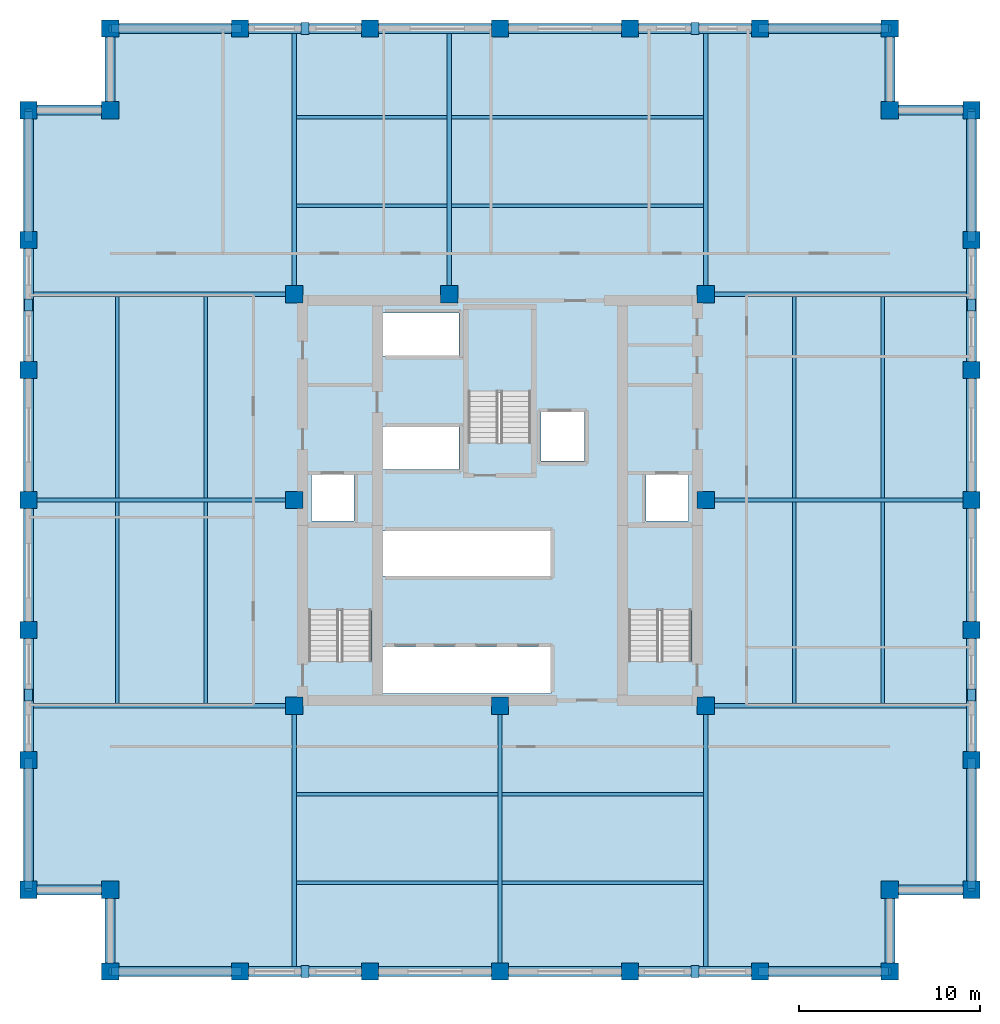
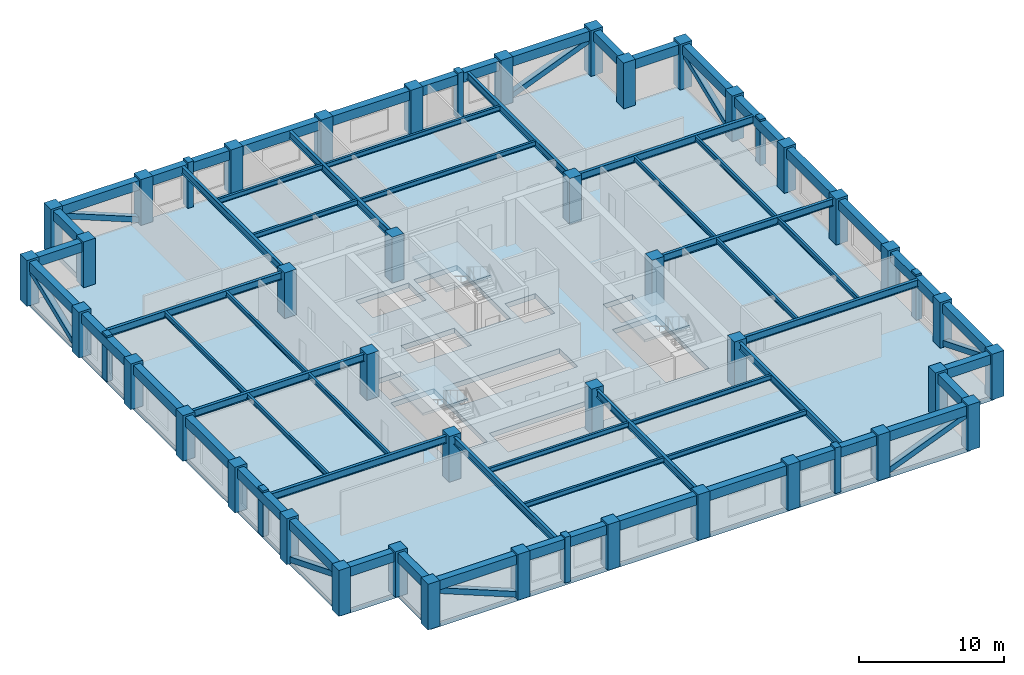
# One storey, part 1 of 6: 60 beams, 40 columns, 16 members, 4 slabs, 3 elements without a shape of their own.
"""IFC4 building model written with IfcOpenShell, lengths in metres."""

from ifc_helpers import new_model, si_unit, direction, frame, origin, origin_2d, place, context, subcontext, project, spatial, polyline, rectangle, hollow_rectangle, i_section, outline, extrude, material, layer, layer_set, material_profile, profile_set, type_object, element, aggregate, save


model = new_model("IFC4")

# Units and contexts
model_context = context("Model", 3, precision=1e-05, world=origin(), true_north=direction((0.0, 1.0)))
body_context = subcontext(model_context, "Body", "Model", "MODEL_VIEW")
ifc_project = project(units=[si_unit("LENGTHUNIT", "METRE"), si_unit("AREAUNIT", "SQUARE_METRE"), si_unit("VOLUMEUNIT", "CUBIC_METRE"), si_unit("PLANEANGLEUNIT", "RADIAN"), si_unit("MASSUNIT", "GRAM", prefix="KILO")], contexts=[model_context])

# Site, building, storey
site_placement = place(None, origin())
site = spatial("IfcSite", under=ifc_project, at=site_placement, CompositionType="ELEMENT")
building_placement = place(site_placement, origin())
building = spatial("IfcBuilding", under=site, at=building_placement, Name="Nhamokura Convention Tower", CompositionType="ELEMENT")
storey_placement = place(building_placement, frame((0.0, 0.0, 114.449951171875)))
storey = spatial("IfcBuildingStorey", under=building, at=storey_placement, Name="L27", CompositionType="ELEMENT", Elevation=114.449951171875)

# Columns
ifc_material_1 = material(Name="Concrete C60/75", Category="concrete")
ifc_material_profile_1 = material_profile(ifc_material_1, rectangle(XDim=0.949951171875, YDim=0.949951171875, at=origin_2d()))
ifc_profile_set_1 = profile_set([ifc_material_profile_1], Name="Concrete C60/75")
column_type = type_object("IfcColumnType", Name="TubeColumn_Z2_950", PredefinedType="COLUMN", material=ifc_profile_set_1)
for number, where, z_axis, x_axis, name in (
    (1, (20.64990234375, 20.64990234375, 0.0), (0.0, 0.0, 1.0), (1.0, 0.0, 0.0), "L27 Core Column CC-SW"),
    (2, (32.0, 20.64990234375, 0.0), (0.0, 0.0, 1.0), (1.0, 0.0, 0.0), "L27 Core Column CC-S"),
    (3, (43.35009765625, 20.64990234375, 0.0), (0.0, 0.0, 1.0), (1.0, 0.0, 0.0), "L27 Core Column CC-SE"),
    (4, (43.35009765625, 32.0, 0.0), (0.0, 0.0, 1.0), (1.0, 0.0, 0.0), "L27 Core Column CC-E"),
    (5, (43.35009765625, 43.35009765625, 0.0), (0.0, 0.0, 1.0), (1.0, 0.0, 0.0), "L27 Core Column CC-NE"),
    (6, (29.199951171875, 43.35009765625, 0.0), (0.0, 0.0, 1.0), (1.0, 0.0, 0.0), "L27 Core Column CC-N"),
    (7, (20.64990234375, 43.35009765625, 0.0), (0.0, 0.0, 1.0), (1.0, 0.0, 0.0), "L27 Core Column CC-NW"),
    (8, (20.64990234375, 32.0, 0.0), (0.0, 0.0, 1.0), (1.0, 0.0, 0.0), "L27 Core Column CC-W"),
    (9, (10.5, 6.0, 0.0), (0.0, 0.0, 1.0), (1.0, 0.0, 0.0), "L27 Perimeter Tube Column SW1"),
    (10, (10.5, 10.5, 0.0), (0.0, 0.0, 1.0), (1.0, 0.0, 0.0), "L27 Perimeter Tube Column SW0"),
    (11, (6.0, 10.5, 0.0), (0.0, 0.0, 1.0), (1.0, 0.0, 0.0), "L27 Perimeter Tube Column SW2"),
    (12, (53.5, 6.0, 0.0), (0.0, 0.0, 1.0), (1.0, 0.0, 0.0), "L27 Perimeter Tube Column SE1"),
    (13, (53.5, 10.5, 0.0), (0.0, 0.0, 1.0), (1.0, 0.0, 0.0), "L27 Perimeter Tube Column SE0"),
    (14, (58.0, 10.5, 0.0), (0.0, 0.0, 1.0), (1.0, 0.0, 0.0), "L27 Perimeter Tube Column SE2"),
    (15, (58.0, 53.5, 0.0), (0.0, 0.0, 1.0), (1.0, 0.0, 0.0), "L27 Perimeter Tube Column NE1"),
    (16, (53.5, 53.5, 0.0), (0.0, 0.0, 1.0), (1.0, 0.0, 0.0), "L27 Perimeter Tube Column NE0"),
    (17, (53.5, 58.0, 0.0), (0.0, 0.0, 1.0), (1.0, 0.0, 0.0), "L27 Perimeter Tube Column NE2"),
    (18, (10.5, 58.0, 0.0), (0.0, 0.0, 1.0), (1.0, 0.0, 0.0), "L27 Perimeter Tube Column NW1"),
    (19, (10.5, 53.5, 0.0), (0.0, 0.0, 1.0), (1.0, 0.0, 0.0), "L27 Perimeter Tube Column NW0"),
    (20, (6.0, 53.5, 0.0), (0.0, 0.0, 1.0), (1.0, 0.0, 0.0), "L27 Perimeter Tube Column NW2"),
    (21, (17.666748046875, 6.0, 0.0), (0.0, 0.0, 1.0), (1.0, 0.0, 0.0), "L27 Perimeter Tube Column S1"),
    (22, (17.666748046875, 58.0, 0.0), (0.0, 0.0, 1.0), (1.0, 0.0, 0.0), "L27 Perimeter Tube Column N1"),
    (23, (6.0, 17.666748046875, 0.0), (0.0, 0.0, 1.0), (1.0, 0.0, 0.0), "L27 Perimeter Tube Column W1"),
    (24, (58.0, 17.666748046875, 0.0), (0.0, 0.0, 1.0), (1.0, 0.0, 0.0), "L27 Perimeter Tube Column E1"),
    (25, (24.833251953125, 6.0, 0.0), (0.0, 0.0, 1.0), (1.0, 0.0, 0.0), "L27 Perimeter Tube Column S2"),
    (26, (24.833251953125, 58.0, 0.0), (0.0, 0.0, 1.0), (1.0, 0.0, 0.0), "L27 Perimeter Tube Column N2"),
    (27, (6.0, 24.833251953125, 0.0), (0.0, 0.0, 1.0), (1.0, 0.0, 0.0), "L27 Perimeter Tube Column W2"),
    (28, (58.0, 24.833251953125, 0.0), (0.0, 0.0, 1.0), (1.0, 0.0, 0.0), "L27 Perimeter Tube Column E2"),
    (29, (32.0, 6.0, 0.0), (0.0, 0.0, 1.0), (1.0, 0.0, 0.0), "L27 Perimeter Tube Column S3"),
    (30, (32.0, 58.0, 0.0), (0.0, 0.0, 1.0), (1.0, 0.0, 0.0), "L27 Perimeter Tube Column N3"),
    (31, (6.0, 32.0, 0.0), (0.0, 0.0, 1.0), (1.0, 0.0, 0.0), "L27 Perimeter Tube Column W3"),
    (32, (58.0, 32.0, 0.0), (0.0, 0.0, 1.0), (1.0, 0.0, 0.0), "L27 Perimeter Tube Column E3"),
    (33, (39.166748046875, 6.0, 0.0), (0.0, 0.0, 1.0), (1.0, 0.0, 0.0), "L27 Perimeter Tube Column S4"),
    (34, (39.166748046875, 58.0, 0.0), (0.0, 0.0, 1.0), (1.0, 0.0, 0.0), "L27 Perimeter Tube Column N4"),
    (35, (6.0, 39.166748046875, 0.0), (0.0, 0.0, 1.0), (1.0, 0.0, 0.0), "L27 Perimeter Tube Column W4"),
    (36, (58.0, 39.166748046875, 0.0), (0.0, 0.0, 1.0), (1.0, 0.0, 0.0), "L27 Perimeter Tube Column E4"),
    (37, (46.333251953125, 6.0, 0.0), (0.0, 0.0, 1.0), (1.0, 0.0, 0.0), "L27 Perimeter Tube Column S5"),
    (38, (46.333251953125, 58.0, 0.0), (0.0, 0.0, 1.0), (1.0, 0.0, 0.0), "L27 Perimeter Tube Column N5"),
    (39, (6.0, 46.333251953125, 0.0), (0.0, 0.0, 1.0), (1.0, 0.0, 0.0), "L27 Perimeter Tube Column W5"),
    (40, (58.0, 46.333251953125, 0.0), (0.0, 0.0, 1.0), (1.0, 0.0, 0.0), "L27 Perimeter Tube Column E5"),
):
    element("IfcColumn", number, at=place(storey_placement, frame(where, z_axis=z_axis, x_axis=x_axis)), inside=storey, type_object=column_type, Name=name, PredefinedType="COLUMN", context=body_context, shape_type="SweptSolid", body=[
        extrude(rectangle(XDim=0.949951171875, YDim=0.949951171875, at=origin_2d()), origin(), (0.0, 0.0, 1.0), 3.85009765625),
    ])

# Members
ifc_material_2 = material(Name="Bronze-pigmented precast concrete C45/55", Category="concrete")
ifc_material_profile_2 = material_profile(ifc_material_2, rectangle(XDim=0.449951171875, YDim=0.64990234375, at=origin_2d()))
ifc_profile_set_2 = profile_set([ifc_material_profile_2], Name="Bronze-pigmented precast concrete C45/55")
member_type_1 = type_object("IfcMemberType", Name="BronzePilaster_650", PredefinedType="USERDEFINED", material=ifc_profile_set_2)
for number, where, z_axis, x_axis, name in (
    (41, (21.25, 6.0, 0.0), (0.0, 0.0, 1.0), (1.0, 0.0, 0.0), "L27 Engaged Frame Pilaster SOUTH 1"),
    (42, (42.75, 6.0, 0.0), (0.0, 0.0, 1.0), (1.0, 0.0, 0.0), "L27 Engaged Frame Pilaster SOUTH 4"),
    (43, (21.25, 58.0, 0.0), (0.0, 0.0, 1.0), (1.0, 0.0, 0.0), "L27 Engaged Frame Pilaster NORTH 1"),
    (44, (42.75, 58.0, 0.0), (0.0, 0.0, 1.0), (1.0, 0.0, 0.0), "L27 Engaged Frame Pilaster NORTH 4"),
    (45, (6.0, 21.25, 0.0), (0.0, 0.0, 1.0), (1.0, 0.0, 0.0), "L27 Engaged Frame Pilaster WEST 1"),
    (46, (6.0, 42.75, 0.0), (0.0, 0.0, 1.0), (1.0, 0.0, 0.0), "L27 Engaged Frame Pilaster WEST 4"),
    (47, (58.0, 21.25, 0.0), (0.0, 0.0, 1.0), (1.0, 0.0, 0.0), "L27 Engaged Frame Pilaster EAST 1"),
    (48, (58.0, 42.75, 0.0), (0.0, 0.0, 1.0), (1.0, 0.0, 0.0), "L27 Engaged Frame Pilaster EAST 4"),
):
    element("IfcMember", number, at=place(storey_placement, frame(where, z_axis=z_axis, x_axis=x_axis)), inside=storey, type_object=member_type_1, Name=name, ObjectType="PILASTER_TRIM", PredefinedType="USERDEFINED", context=body_context, shape_type="SweptSolid", body=[
        extrude(rectangle(XDim=0.449951171875, YDim=0.64990234375, at=origin_2d()), origin(), (0.0, 0.0, 1.0), 3.85009765625),
    ])

# Beams
ifc_material_3 = material(Name="Steel ASTM A992 Gr 50", Category="steel")
ifc_material_profile_3 = material_profile(ifc_material_3, i_section(OverallWidth=0.177001953125, OverallDepth=0.403076171875, WebThickness=0.007568359375, FlangeThickness=0.010986328125, at=origin_2d()))
ifc_profile_set_3 = profile_set([ifc_material_profile_3], Name="Steel ASTM A992 Gr 50")
beam_type_1 = type_object("IfcBeamType", Name="FloorJoist_W410X53", PredefinedType="JOIST", material=ifc_profile_set_3)
for number, where, z_axis, x_axis, name in (
    (49, (20.761962890625, 10.88330078125, 3.483642578125), (1.0, 0.0, 0.0), (0.0, 1.0, 0.0), "L27 Composite Floor Joist S1A"),
    (50, (32.112060546875, 10.88330078125, 3.483642578125), (1.0, 0.0, 0.0), (0.0, 1.0, 0.0), "L27 Composite Floor Joist S1B"),
    (51, (20.761962890625, 15.7666015625, 3.483642578125), (1.0, 0.0, 0.0), (0.0, 1.0, 0.0), "L27 Composite Floor Joist S2A"),
    (52, (32.112060546875, 15.7666015625, 3.483642578125), (1.0, 0.0, 0.0), (0.0, 1.0, 0.0), "L27 Composite Floor Joist S2B"),
):
    element("IfcBeam", number, at=place(storey_placement, frame(where, z_axis=z_axis, x_axis=x_axis)), inside=storey, type_object=beam_type_1, Name=name, PredefinedType="JOIST", context=body_context, shape_type="SweptSolid", body=[
        extrude(i_section(OverallWidth=0.177001953125, OverallDepth=0.403076171875, WebThickness=0.007568359375, FlangeThickness=0.010986328125, at=origin_2d()), origin(), (0.0, 0.0, 1.0), 11.1259765625),
    ])
beam_1_placement = place(storey_placement, frame((20.761962890625, 48.2333984375, 3.483642578125), z_axis=(1.0, 0.0, 0.0), x_axis=(0.0, 1.0, 0.0)))
element("IfcBeam", 53, at=beam_1_placement, inside=storey, type_object=beam_type_1, Name="L27 Composite Floor Joist N1A", PredefinedType="JOIST", context=body_context, shape_type="SweptSolid", body=[
    extrude(i_section(OverallWidth=0.177001953125, OverallDepth=0.403076171875, WebThickness=0.007568359375, FlangeThickness=0.010986328125, at=origin_2d()), origin(), (0.0, 0.0, 1.0), 8.325927734375),
])
beam_2_placement = place(storey_placement, frame((29.31201171875, 48.2333984375, 3.483642578125), z_axis=(1.0, 0.0, 0.0), x_axis=(0.0, 1.0, 0.0)))
element("IfcBeam", 54, at=beam_2_placement, inside=storey, type_object=beam_type_1, Name="L27 Composite Floor Joist N1B", PredefinedType="JOIST", context=body_context, shape_type="SweptSolid", body=[
    extrude(i_section(OverallWidth=0.177001953125, OverallDepth=0.403076171875, WebThickness=0.007568359375, FlangeThickness=0.010986328125, at=origin_2d()), origin(), (0.0, 0.0, 1.0), 13.926025390625),
])
beam_3_placement = place(storey_placement, frame((20.761962890625, 53.11669921875, 3.483642578125), z_axis=(1.0, 0.0, 0.0), x_axis=(0.0, 1.0, 0.0)))
element("IfcBeam", 55, at=beam_3_placement, inside=storey, type_object=beam_type_1, Name="L27 Composite Floor Joist N2A", PredefinedType="JOIST", context=body_context, shape_type="SweptSolid", body=[
    extrude(i_section(OverallWidth=0.177001953125, OverallDepth=0.403076171875, WebThickness=0.007568359375, FlangeThickness=0.010986328125, at=origin_2d()), origin(), (0.0, 0.0, 1.0), 8.325927734375),
])
beam_4_placement = place(storey_placement, frame((29.31201171875, 53.11669921875, 3.483642578125), z_axis=(1.0, 0.0, 0.0), x_axis=(0.0, 1.0, 0.0)))
element("IfcBeam", 56, at=beam_4_placement, inside=storey, type_object=beam_type_1, Name="L27 Composite Floor Joist N2B", PredefinedType="JOIST", context=body_context, shape_type="SweptSolid", body=[
    extrude(i_section(OverallWidth=0.177001953125, OverallDepth=0.403076171875, WebThickness=0.007568359375, FlangeThickness=0.010986328125, at=origin_2d()), origin(), (0.0, 0.0, 1.0), 13.926025390625),
])
for number, where, z_axis, x_axis, name in (
    (57, (10.88330078125, 20.761962890625, 3.483642578125), (0.0, 1.0, 0.0), (-1.0, 0.0, 0.0), "L27 Composite Floor Joist W1A"),
    (58, (10.88330078125, 32.112060546875, 3.483642578125), (0.0, 1.0, 0.0), (-1.0, 0.0, 0.0), "L27 Composite Floor Joist W1B"),
    (59, (15.7666015625, 20.761962890625, 3.483642578125), (0.0, 1.0, 0.0), (-1.0, 0.0, 0.0), "L27 Composite Floor Joist W2A"),
    (60, (15.7666015625, 32.112060546875, 3.483642578125), (0.0, 1.0, 0.0), (-1.0, 0.0, 0.0), "L27 Composite Floor Joist W2B"),
    (61, (48.2333984375, 20.761962890625, 3.483642578125), (0.0, 1.0, 0.0), (-1.0, 0.0, 0.0), "L27 Composite Floor Joist E1A"),
    (62, (48.2333984375, 32.112060546875, 3.483642578125), (0.0, 1.0, 0.0), (-1.0, 0.0, 0.0), "L27 Composite Floor Joist E1B"),
    (63, (53.11669921875, 20.761962890625, 3.483642578125), (0.0, 1.0, 0.0), (-1.0, 0.0, 0.0), "L27 Composite Floor Joist E2A"),
    (64, (53.11669921875, 32.112060546875, 3.483642578125), (0.0, 1.0, 0.0), (-1.0, 0.0, 0.0), "L27 Composite Floor Joist E2B"),
):
    element("IfcBeam", number, at=place(storey_placement, frame(where, z_axis=z_axis, x_axis=x_axis)), inside=storey, type_object=beam_type_1, Name=name, PredefinedType="JOIST", context=body_context, shape_type="SweptSolid", body=[
        extrude(i_section(OverallWidth=0.177001953125, OverallDepth=0.403076171875, WebThickness=0.007568359375, FlangeThickness=0.010986328125, at=origin_2d()), origin(), (0.0, 0.0, 1.0), 11.1259765625),
    ])
ifc_material_4 = material(Name="Steel ASTM A992 Gr 50", Category="steel")
ifc_material_profile_4 = material_profile(ifc_material_4, i_section(OverallWidth=0.22802734375, OverallDepth=0.60791015625, WebThickness=0.01123046875, FlangeThickness=0.017333984375, at=origin_2d()))
ifc_profile_set_4 = profile_set([ifc_material_profile_4], Name="Steel ASTM A992 Gr 50")
beam_type_2 = type_object("IfcBeamType", Name="PrimaryGirder_W610X113", PredefinedType="BEAM", material=ifc_profile_set_4)
for number, where, z_axis, x_axis, name in (
    (65, (20.64990234375, 6.0, 3.381103515625), (0.0, 1.0, 0.0), (-1.0, 0.0, 0.0), "L27 Primary Floor Girder PG-S1"),
    (66, (32.0, 6.0, 3.381103515625), (0.0, 1.0, 0.0), (-1.0, 0.0, 0.0), "L27 Primary Floor Girder PG-S2"),
    (67, (43.35009765625, 6.0, 3.381103515625), (0.0, 1.0, 0.0), (-1.0, 0.0, 0.0), "L27 Primary Floor Girder PG-S3"),
    (68, (20.64990234375, 43.35009765625, 3.381103515625), (0.0, 1.0, 0.0), (-1.0, 0.0, 0.0), "L27 Primary Floor Girder PG-N1"),
    (69, (29.199951171875, 43.35009765625, 3.381103515625), (0.0, 1.0, 0.0), (-1.0, 0.0, 0.0), "L27 Primary Floor Girder PG-N2"),
    (70, (43.35009765625, 43.35009765625, 3.381103515625), (0.0, 1.0, 0.0), (-1.0, 0.0, 0.0), "L27 Primary Floor Girder PG-N3"),
    (71, (6.0, 20.64990234375, 3.381103515625), (1.0, 0.0, 0.0), (0.0, 1.0, 0.0), "L27 Primary Floor Girder PG-W1"),
    (72, (6.0, 32.0, 3.381103515625), (1.0, 0.0, 0.0), (0.0, 1.0, 0.0), "L27 Primary Floor Girder PG-W2"),
    (73, (6.0, 43.35009765625, 3.381103515625), (1.0, 0.0, 0.0), (0.0, 1.0, 0.0), "L27 Primary Floor Girder PG-W3"),
    (74, (43.35009765625, 20.64990234375, 3.381103515625), (1.0, 0.0, 0.0), (0.0, 1.0, 0.0), "L27 Primary Floor Girder PG-E1"),
    (75, (43.35009765625, 32.0, 3.381103515625), (1.0, 0.0, 0.0), (0.0, 1.0, 0.0), "L27 Primary Floor Girder PG-E2"),
    (76, (43.35009765625, 43.35009765625, 3.381103515625), (1.0, 0.0, 0.0), (0.0, 1.0, 0.0), "L27 Primary Floor Girder PG-E3"),
):
    element("IfcBeam", number, at=place(storey_placement, frame(where, z_axis=z_axis, x_axis=x_axis)), inside=storey, type_object=beam_type_2, Name=name, PredefinedType="BEAM", context=body_context, shape_type="SweptSolid", body=[
        extrude(i_section(OverallWidth=0.22802734375, OverallDepth=0.60791015625, WebThickness=0.01123046875, FlangeThickness=0.017333984375, at=origin_2d()), origin(), (0.0, 0.0, 1.0), 14.64990234375),
    ])

# Members
ifc_material_5 = material(Name="Steel ASTM A572 Gr 50", Category="steel")
ifc_material_profile_5 = material_profile(ifc_material_5, hollow_rectangle(XDim=0.449951171875, YDim=0.449951171875, WallThickness=0.02197265625, at=origin_2d()))
ifc_profile_set_5 = profile_set([ifc_material_profile_5], Name="Steel ASTM A572 Gr 50")
member_type_2 = type_object("IfcMemberType", Name="TubeBrace_HSS450", PredefinedType="BRACE", material=ifc_profile_set_5)
for number, where, z_axis, x_axis, name in (
    (77, (17.666748046875, 6.0, 0.150146484375), (-0.927657166893, 0.0, 0.373432966826), (0.0, -1.0, 0.0), "L27 Perimeter Tube Brace SOUTH Bay 0"),
    (78, (46.333251953125, 6.0, 0.150146484375), (0.927657166893, 0.0, 0.373432966826), (0.0, 1.0, 0.0), "L27 Perimeter Tube Brace SOUTH Bay 5"),
    (79, (17.666748046875, 58.0, 0.150146484375), (-0.927657166893, 0.0, 0.373432966826), (0.0, -1.0, 0.0), "L27 Perimeter Tube Brace NORTH Bay 0"),
    (80, (46.333251953125, 58.0, 0.150146484375), (0.927657166893, 0.0, 0.373432966826), (0.0, 1.0, 0.0), "L27 Perimeter Tube Brace NORTH Bay 5"),
    (81, (6.0, 17.666748046875, 0.150146484375), (0.0, -0.927657166893, 0.373432966826), (1.0, 0.0, 0.0), "L27 Perimeter Tube Brace WEST Bay 0"),
    (82, (6.0, 46.333251953125, 0.150146484375), (0.0, 0.927657166893, 0.373432966826), (-1.0, 0.0, 0.0), "L27 Perimeter Tube Brace WEST Bay 5"),
    (83, (58.0, 17.666748046875, 0.150146484375), (0.0, -0.927657166893, 0.373432966826), (1.0, 0.0, 0.0), "L27 Perimeter Tube Brace EAST Bay 0"),
    (84, (58.0, 46.333251953125, 0.150146484375), (0.0, 0.927657166893, 0.373432966826), (-1.0, 0.0, 0.0), "L27 Perimeter Tube Brace EAST Bay 5"),
):
    element("IfcMember", number, at=place(storey_placement, frame(where, z_axis=z_axis, x_axis=x_axis)), inside=storey, type_object=member_type_2, Name=name, PredefinedType="BRACE", context=body_context, shape_type="SweptSolid", body=[
        extrude(hollow_rectangle(XDim=0.449951171875, YDim=0.449951171875, WallThickness=0.02197265625, at=origin_2d()), origin(), (0.0, 0.0, 1.0), 7.7255859375),
    ])

# Beams
ifc_material_6 = material(Name="Concrete C50/60", Category="concrete")
ifc_material_profile_6 = material_profile(ifc_material_6, rectangle(XDim=0.550048828125, YDim=0.800048828125, at=origin_2d()))
ifc_profile_set_6 = profile_set([ifc_material_profile_6], Name="Concrete C50/60")
beam_type_3 = type_object("IfcBeamType", Name="TubeSpandrel_800", PredefinedType="SPANDREL", material=ifc_profile_set_6)
beam_5_placement = place(storey_placement, frame((10.5, 6.0, 3.28515625), z_axis=(1.0, 0.0, 0.0), x_axis=(0.0, 1.0, 0.0)))
element("IfcBeam", 85, at=beam_5_placement, inside=storey, type_object=beam_type_3, Name="L27 Perimeter Spandrel SOUTH 1", PredefinedType="SPANDREL", context=body_context, shape_type="SweptSolid", body=[
    extrude(rectangle(XDim=0.550048828125, YDim=0.800048828125, at=origin_2d()), origin(), (0.0, 0.0, 1.0), 7.166748046875),
])
beam_6_placement = place(storey_placement, frame((17.666748046875, 6.0, 3.28515625), z_axis=(1.0, 0.0, 0.0), x_axis=(0.0, 1.0, 0.0)))
element("IfcBeam", 86, at=beam_6_placement, inside=storey, type_object=beam_type_3, Name="L27 Perimeter Spandrel SOUTH 2", PredefinedType="SPANDREL", context=body_context, shape_type="SweptSolid", body=[
    extrude(rectangle(XDim=0.550048828125, YDim=0.800048828125, at=origin_2d()), origin(), (0.0, 0.0, 1.0), 7.16650390625),
])
for number, where, z_axis, x_axis, name in (
    (87, (24.833251953125, 6.0, 3.28515625), (1.0, 0.0, 0.0), (0.0, 1.0, 0.0), "L27 Perimeter Spandrel SOUTH 3"),
    (88, (32.0, 6.0, 3.28515625), (1.0, 0.0, 0.0), (0.0, 1.0, 0.0), "L27 Perimeter Spandrel SOUTH 4"),
):
    element("IfcBeam", number, at=place(storey_placement, frame(where, z_axis=z_axis, x_axis=x_axis)), inside=storey, type_object=beam_type_3, Name=name, PredefinedType="SPANDREL", context=body_context, shape_type="SweptSolid", body=[
        extrude(rectangle(XDim=0.550048828125, YDim=0.800048828125, at=origin_2d()), origin(), (0.0, 0.0, 1.0), 7.166748046875),
    ])
beam_7_placement = place(storey_placement, frame((39.166748046875, 6.0, 3.28515625), z_axis=(1.0, 0.0, 0.0), x_axis=(0.0, 1.0, 0.0)))
element("IfcBeam", 89, at=beam_7_placement, inside=storey, type_object=beam_type_3, Name="L27 Perimeter Spandrel SOUTH 5", PredefinedType="SPANDREL", context=body_context, shape_type="SweptSolid", body=[
    extrude(rectangle(XDim=0.550048828125, YDim=0.800048828125, at=origin_2d()), origin(), (0.0, 0.0, 1.0), 7.16650390625),
])
for number, where, z_axis, x_axis, name in (
    (90, (46.333251953125, 6.0, 3.28515625), (1.0, 0.0, 0.0), (0.0, 1.0, 0.0), "L27 Perimeter Spandrel SOUTH 6"),
    (91, (10.5, 58.0, 3.28515625), (1.0, 0.0, 0.0), (0.0, 1.0, 0.0), "L27 Perimeter Spandrel NORTH 1"),
):
    element("IfcBeam", number, at=place(storey_placement, frame(where, z_axis=z_axis, x_axis=x_axis)), inside=storey, type_object=beam_type_3, Name=name, PredefinedType="SPANDREL", context=body_context, shape_type="SweptSolid", body=[
        extrude(rectangle(XDim=0.550048828125, YDim=0.800048828125, at=origin_2d()), origin(), (0.0, 0.0, 1.0), 7.166748046875),
    ])
beam_8_placement = place(storey_placement, frame((17.666748046875, 58.0, 3.28515625), z_axis=(1.0, 0.0, 0.0), x_axis=(0.0, 1.0, 0.0)))
element("IfcBeam", 92, at=beam_8_placement, inside=storey, type_object=beam_type_3, Name="L27 Perimeter Spandrel NORTH 2", PredefinedType="SPANDREL", context=body_context, shape_type="SweptSolid", body=[
    extrude(rectangle(XDim=0.550048828125, YDim=0.800048828125, at=origin_2d()), origin(), (0.0, 0.0, 1.0), 7.16650390625),
])
for number, where, z_axis, x_axis, name in (
    (93, (24.833251953125, 58.0, 3.28515625), (1.0, 0.0, 0.0), (0.0, 1.0, 0.0), "L27 Perimeter Spandrel NORTH 3"),
    (94, (32.0, 58.0, 3.28515625), (1.0, 0.0, 0.0), (0.0, 1.0, 0.0), "L27 Perimeter Spandrel NORTH 4"),
):
    element("IfcBeam", number, at=place(storey_placement, frame(where, z_axis=z_axis, x_axis=x_axis)), inside=storey, type_object=beam_type_3, Name=name, PredefinedType="SPANDREL", context=body_context, shape_type="SweptSolid", body=[
        extrude(rectangle(XDim=0.550048828125, YDim=0.800048828125, at=origin_2d()), origin(), (0.0, 0.0, 1.0), 7.166748046875),
    ])
beam_9_placement = place(storey_placement, frame((39.166748046875, 58.0, 3.28515625), z_axis=(1.0, 0.0, 0.0), x_axis=(0.0, 1.0, 0.0)))
element("IfcBeam", 95, at=beam_9_placement, inside=storey, type_object=beam_type_3, Name="L27 Perimeter Spandrel NORTH 5", PredefinedType="SPANDREL", context=body_context, shape_type="SweptSolid", body=[
    extrude(rectangle(XDim=0.550048828125, YDim=0.800048828125, at=origin_2d()), origin(), (0.0, 0.0, 1.0), 7.16650390625),
])
for number, where, z_axis, x_axis, name in (
    (96, (46.333251953125, 58.0, 3.28515625), (1.0, 0.0, 0.0), (0.0, 1.0, 0.0), "L27 Perimeter Spandrel NORTH 6"),
    (97, (6.0, 10.5, 3.28515625), (0.0, 1.0, 0.0), (-1.0, 0.0, 0.0), "L27 Perimeter Spandrel WEST 1"),
):
    element("IfcBeam", number, at=place(storey_placement, frame(where, z_axis=z_axis, x_axis=x_axis)), inside=storey, type_object=beam_type_3, Name=name, PredefinedType="SPANDREL", context=body_context, shape_type="SweptSolid", body=[
        extrude(rectangle(XDim=0.550048828125, YDim=0.800048828125, at=origin_2d()), origin(), (0.0, 0.0, 1.0), 7.166748046875),
    ])
beam_10_placement = place(storey_placement, frame((6.0, 17.666748046875, 3.28515625), z_axis=(0.0, 1.0, 0.0), x_axis=(-1.0, 0.0, 0.0)))
element("IfcBeam", 98, at=beam_10_placement, inside=storey, type_object=beam_type_3, Name="L27 Perimeter Spandrel WEST 2", PredefinedType="SPANDREL", context=body_context, shape_type="SweptSolid", body=[
    extrude(rectangle(XDim=0.550048828125, YDim=0.800048828125, at=origin_2d()), origin(), (0.0, 0.0, 1.0), 7.16650390625),
])
for number, where, z_axis, x_axis, name in (
    (99, (6.0, 24.833251953125, 3.28515625), (0.0, 1.0, 0.0), (-1.0, 0.0, 0.0), "L27 Perimeter Spandrel WEST 3"),
    (100, (6.0, 32.0, 3.28515625), (0.0, 1.0, 0.0), (-1.0, 0.0, 0.0), "L27 Perimeter Spandrel WEST 4"),
):
    element("IfcBeam", number, at=place(storey_placement, frame(where, z_axis=z_axis, x_axis=x_axis)), inside=storey, type_object=beam_type_3, Name=name, PredefinedType="SPANDREL", context=body_context, shape_type="SweptSolid", body=[
        extrude(rectangle(XDim=0.550048828125, YDim=0.800048828125, at=origin_2d()), origin(), (0.0, 0.0, 1.0), 7.166748046875),
    ])
beam_11_placement = place(storey_placement, frame((6.0, 39.166748046875, 3.28515625), z_axis=(0.0, 1.0, 0.0), x_axis=(-1.0, 0.0, 0.0)))
element("IfcBeam", 101, at=beam_11_placement, inside=storey, type_object=beam_type_3, Name="L27 Perimeter Spandrel WEST 5", PredefinedType="SPANDREL", context=body_context, shape_type="SweptSolid", body=[
    extrude(rectangle(XDim=0.550048828125, YDim=0.800048828125, at=origin_2d()), origin(), (0.0, 0.0, 1.0), 7.16650390625),
])
for number, where, z_axis, x_axis, name in (
    (102, (6.0, 46.333251953125, 3.28515625), (0.0, 1.0, 0.0), (-1.0, 0.0, 0.0), "L27 Perimeter Spandrel WEST 6"),
    (103, (58.0, 10.5, 3.28515625), (0.0, 1.0, 0.0), (-1.0, 0.0, 0.0), "L27 Perimeter Spandrel EAST 1"),
):
    element("IfcBeam", number, at=place(storey_placement, frame(where, z_axis=z_axis, x_axis=x_axis)), inside=storey, type_object=beam_type_3, Name=name, PredefinedType="SPANDREL", context=body_context, shape_type="SweptSolid", body=[
        extrude(rectangle(XDim=0.550048828125, YDim=0.800048828125, at=origin_2d()), origin(), (0.0, 0.0, 1.0), 7.166748046875),
    ])
beam_12_placement = place(storey_placement, frame((58.0, 17.666748046875, 3.28515625), z_axis=(0.0, 1.0, 0.0), x_axis=(-1.0, 0.0, 0.0)))
element("IfcBeam", 104, at=beam_12_placement, inside=storey, type_object=beam_type_3, Name="L27 Perimeter Spandrel EAST 2", PredefinedType="SPANDREL", context=body_context, shape_type="SweptSolid", body=[
    extrude(rectangle(XDim=0.550048828125, YDim=0.800048828125, at=origin_2d()), origin(), (0.0, 0.0, 1.0), 7.16650390625),
])
for number, where, z_axis, x_axis, name in (
    (105, (58.0, 24.833251953125, 3.28515625), (0.0, 1.0, 0.0), (-1.0, 0.0, 0.0), "L27 Perimeter Spandrel EAST 3"),
    (106, (58.0, 32.0, 3.28515625), (0.0, 1.0, 0.0), (-1.0, 0.0, 0.0), "L27 Perimeter Spandrel EAST 4"),
):
    element("IfcBeam", number, at=place(storey_placement, frame(where, z_axis=z_axis, x_axis=x_axis)), inside=storey, type_object=beam_type_3, Name=name, PredefinedType="SPANDREL", context=body_context, shape_type="SweptSolid", body=[
        extrude(rectangle(XDim=0.550048828125, YDim=0.800048828125, at=origin_2d()), origin(), (0.0, 0.0, 1.0), 7.166748046875),
    ])
beam_13_placement = place(storey_placement, frame((58.0, 39.166748046875, 3.28515625), z_axis=(0.0, 1.0, 0.0), x_axis=(-1.0, 0.0, 0.0)))
element("IfcBeam", 107, at=beam_13_placement, inside=storey, type_object=beam_type_3, Name="L27 Perimeter Spandrel EAST 5", PredefinedType="SPANDREL", context=body_context, shape_type="SweptSolid", body=[
    extrude(rectangle(XDim=0.550048828125, YDim=0.800048828125, at=origin_2d()), origin(), (0.0, 0.0, 1.0), 7.16650390625),
])
beam_14_placement = place(storey_placement, frame((58.0, 46.333251953125, 3.28515625), z_axis=(0.0, 1.0, 0.0), x_axis=(-1.0, 0.0, 0.0)))
element("IfcBeam", 108, at=beam_14_placement, inside=storey, type_object=beam_type_3, Name="L27 Perimeter Spandrel EAST 6", PredefinedType="SPANDREL", context=body_context, shape_type="SweptSolid", body=[
    extrude(rectangle(XDim=0.550048828125, YDim=0.800048828125, at=origin_2d()), origin(), (0.0, 0.0, 1.0), 7.166748046875),
])
for number, where, z_axis, x_axis, name in (
    (109, (10.5, 6.0, 3.28515625), (0.0, 1.0, 0.0), (-1.0, 0.0, 0.0), "L27 Notch Spandrel SW1"),
    (110, (10.5, 10.5, 3.28515625), (-1.0, 0.0, 0.0), (0.0, -1.0, 0.0), "L27 Notch Spandrel SW2"),
    (111, (53.5, 6.0, 3.28515625), (0.0, 1.0, 0.0), (-1.0, 0.0, 0.0), "L27 Notch Spandrel SE1"),
    (112, (53.5, 10.5, 3.28515625), (1.0, 0.0, 0.0), (0.0, 1.0, 0.0), "L27 Notch Spandrel SE2"),
    (113, (58.0, 53.5, 3.28515625), (-1.0, 0.0, 0.0), (0.0, -1.0, 0.0), "L27 Notch Spandrel NE1"),
    (114, (53.5, 53.5, 3.28515625), (0.0, 1.0, 0.0), (-1.0, 0.0, 0.0), "L27 Notch Spandrel NE2"),
    (115, (10.5, 58.0, 3.28515625), (0.0, -1.0, 0.0), (1.0, 0.0, 0.0), "L27 Notch Spandrel NW1"),
    (116, (10.5, 53.5, 3.28515625), (-1.0, 0.0, 0.0), (0.0, -1.0, 0.0), "L27 Notch Spandrel NW2"),
):
    element("IfcBeam", number, at=place(storey_placement, frame(where, z_axis=z_axis, x_axis=x_axis)), inside=storey, type_object=beam_type_3, Name=name, PredefinedType="SPANDREL", context=body_context, shape_type="SweptSolid", body=[
        extrude(rectangle(XDim=0.550048828125, YDim=0.800048828125, at=origin_2d()), origin(), (0.0, 0.0, 1.0), 4.5),
    ])

# Stair, slab
ifc_material_7 = material(Name="Concrete C40/50", Category="concrete")
stair_type = type_object("IfcStairType", Name="TowerCoreStair_1650", PredefinedType="HALF_TURN_STAIR", material=ifc_material_7)
stair_1_placement = place(storey_placement, origin())
stair_1 = element("IfcStair", 117, at=stair_1_placement, inside=storey, type_object=stair_type, Name="L27 West Core Smokeproof Stair ST-01", PredefinedType="HALF_TURN_STAIR")
ifc_material_8 = material(Name="Concrete C40/50", Category="concrete")
ifc_layer_1 = layer(ifc_material_8, 0.199951171875)
ifc_layer_set_1 = layer_set([ifc_layer_1], Name="StairLandingSlab_200")
slab_type_1 = type_object("IfcSlabType", Name="StairLandingSlab_200", PredefinedType="LANDING", material=ifc_layer_set_1)
slab_1_placement = place(storey_placement, frame((0.0, 0.0, 1.72509765625)))
slab_1 = element("IfcSlab", 118, at=slab_1_placement, type_object=slab_type_1, Name="ST-01 landing 1", PredefinedType="LANDING", context=body_context, shape_type="SweptSolid", body=[
    extrude(outline(polyline([(24.97998046875, 25.8701171875), (24.97998046875, 30.530029296875), (21.3701171875, 30.530029296875), (21.3701171875, 25.8701171875), (24.97998046875, 25.8701171875)])), origin(), (0.0, 0.0, 1.0), 0.199951171875),
])
aggregate(stair_1, [slab_1])

stair_2_placement = place(storey_placement, origin())
stair_2 = element("IfcStair", 119, at=stair_2_placement, inside=storey, type_object=stair_type, Name="L27 East Core Smokeproof Stair ST-02", PredefinedType="HALF_TURN_STAIR")
slab_2_placement = place(storey_placement, frame((0.0, 0.0, 1.72509765625)))
slab_2 = element("IfcSlab", 120, at=slab_2_placement, type_object=slab_type_1, Name="ST-02 landing 1", PredefinedType="LANDING", context=body_context, shape_type="SweptSolid", body=[
    extrude(outline(polyline([(42.6298828125, 25.8701171875), (42.6298828125, 30.530029296875), (39.02001953125, 30.530029296875), (39.02001953125, 25.8701171875), (42.6298828125, 25.8701171875)])), origin(), (0.0, 0.0, 1.0), 0.199951171875),
])
aggregate(stair_2, [slab_2])

stair_3_placement = place(storey_placement, origin())
stair_3 = element("IfcStair", 121, at=stair_3_placement, inside=storey, type_object=stair_type, Name="L27 North Core Smokeproof Stair ST-03", PredefinedType="HALF_TURN_STAIR")
slab_3_placement = place(storey_placement, frame((0.0, 0.0, 1.72509765625)))
slab_3 = element("IfcSlab", 122, at=slab_3_placement, type_object=slab_type_1, Name="ST-03 landing 1", PredefinedType="LANDING", context=body_context, shape_type="SweptSolid", body=[
    extrude(outline(polyline([(33.780029296875, 37.919921875), (33.780029296875, 42.580078125), (30.169921875, 42.580078125), (30.169921875, 37.919921875), (33.780029296875, 37.919921875)])), origin(), (0.0, 0.0, 1.0), 0.199951171875),
])
aggregate(stair_3, [slab_3])

# Slab
ifc_material_9 = material(Name="Concrete C50/60", Category="concrete")
ifc_layer_2 = layer(ifc_material_9, 0.419921875)
ifc_layer_set_2 = layer_set([ifc_layer_2], Name="TransferDeckSlab_380")
slab_type_2 = type_object("IfcSlabType", Name="TransferDeckSlab_380", PredefinedType="FLOOR", material=ifc_layer_set_2)
slab_4_placement = place(storey_placement, frame((0.0, 0.0, -0.419921875)))
element("IfcSlab", 123, at=slab_4_placement, inside=storey, type_object=slab_type_2, Name="L27 Structural Floor Slab", PredefinedType="FLOOR", context=body_context, shape_type="SweptSolid", body=[
    extrude(outline(polyline([(10.5, 6.0), (53.5, 6.0), (53.5, 10.5), (58.0, 10.5), (58.0, 53.5), (53.5, 53.5), (53.5, 58.0), (10.5, 58.0), (10.5, 53.5), (6.0, 53.5), (6.0, 10.5), (10.5, 10.5), (10.5, 6.0)]), holes=[polyline([(24.89990234375, 23.10009765625), (24.89990234375, 30.449951171875), (21.449951171875, 30.449951171875), (21.449951171875, 23.10009765625), (24.89990234375, 23.10009765625)]), polyline([(42.550048828125, 23.10009765625), (42.550048828125, 30.449951171875), (39.10009765625, 30.449951171875), (39.10009765625, 23.10009765625), (42.550048828125, 23.10009765625)]), polyline([(33.699951171875, 35.14990234375), (33.699951171875, 42.5), (30.25, 42.5), (30.25, 35.14990234375), (33.699951171875, 35.14990234375)]), polyline([(21.60009765625, 30.85009765625), (23.949951171875, 30.85009765625), (23.949951171875, 33.39990234375), (21.60009765625, 33.39990234375), (21.60009765625, 30.85009765625)]), polyline([(40.050048828125, 30.85009765625), (42.39990234375, 30.85009765625), (42.39990234375, 33.39990234375), (40.050048828125, 33.39990234375), (40.050048828125, 30.85009765625)]), polyline([(34.25, 34.14990234375), (36.64990234375, 34.14990234375), (36.64990234375, 36.85009765625), (34.25, 36.85009765625), (34.25, 34.14990234375)]), polyline([(25.52001953125, 21.320068359375), (34.800048828125, 21.320068359375), (34.800048828125, 23.89990234375), (25.52001953125, 23.89990234375), (25.52001953125, 21.320068359375)]), polyline([(25.52001953125, 27.800048828125), (34.800048828125, 27.800048828125), (34.800048828125, 30.300048828125), (25.52001953125, 30.300048828125), (25.52001953125, 27.800048828125)]), polyline([(25.52001953125, 33.679931640625), (29.75, 33.679931640625), (29.75, 36.050048828125), (25.52001953125, 36.050048828125), (25.52001953125, 33.679931640625)]), polyline([(25.52001953125, 39.949951171875), (29.75, 39.949951171875), (29.75, 42.320068359375), (25.52001953125, 42.320068359375), (25.52001953125, 39.949951171875)])]), origin(), (0.0, 0.0, 1.0), 0.419921875),
])

save(model, "model.ifc")
